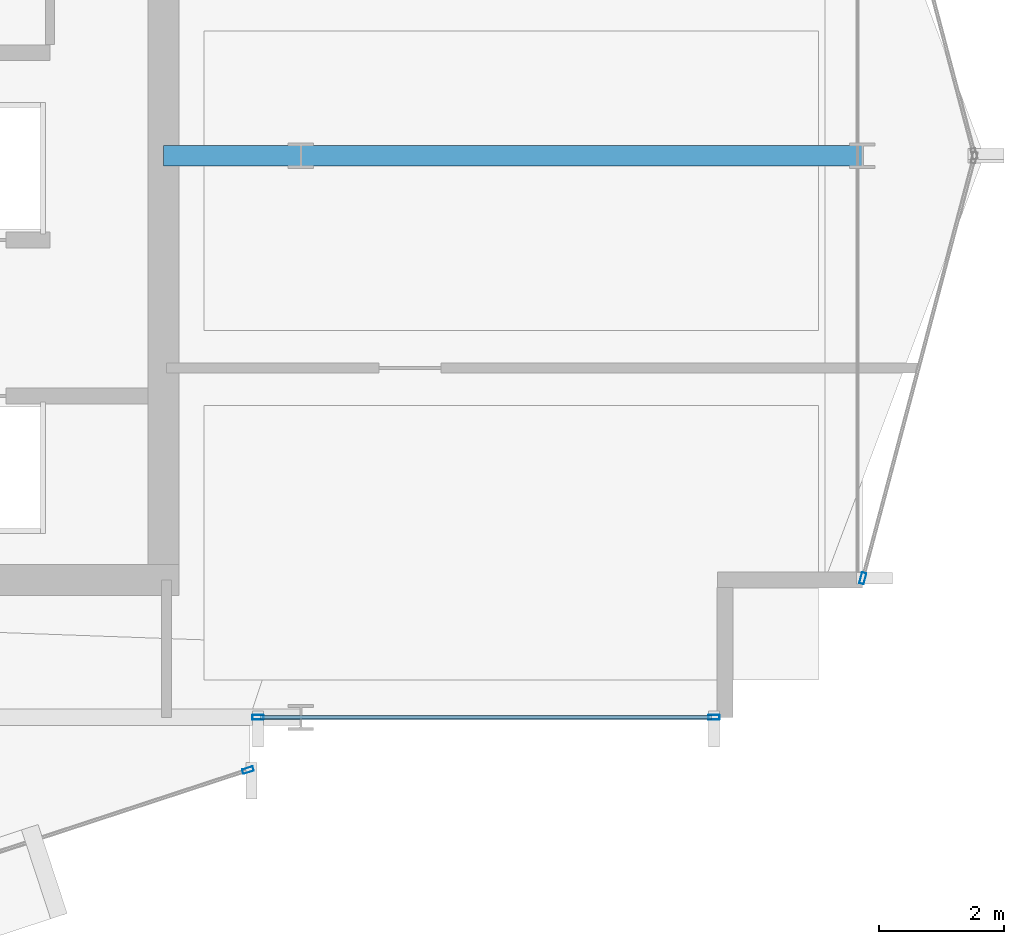
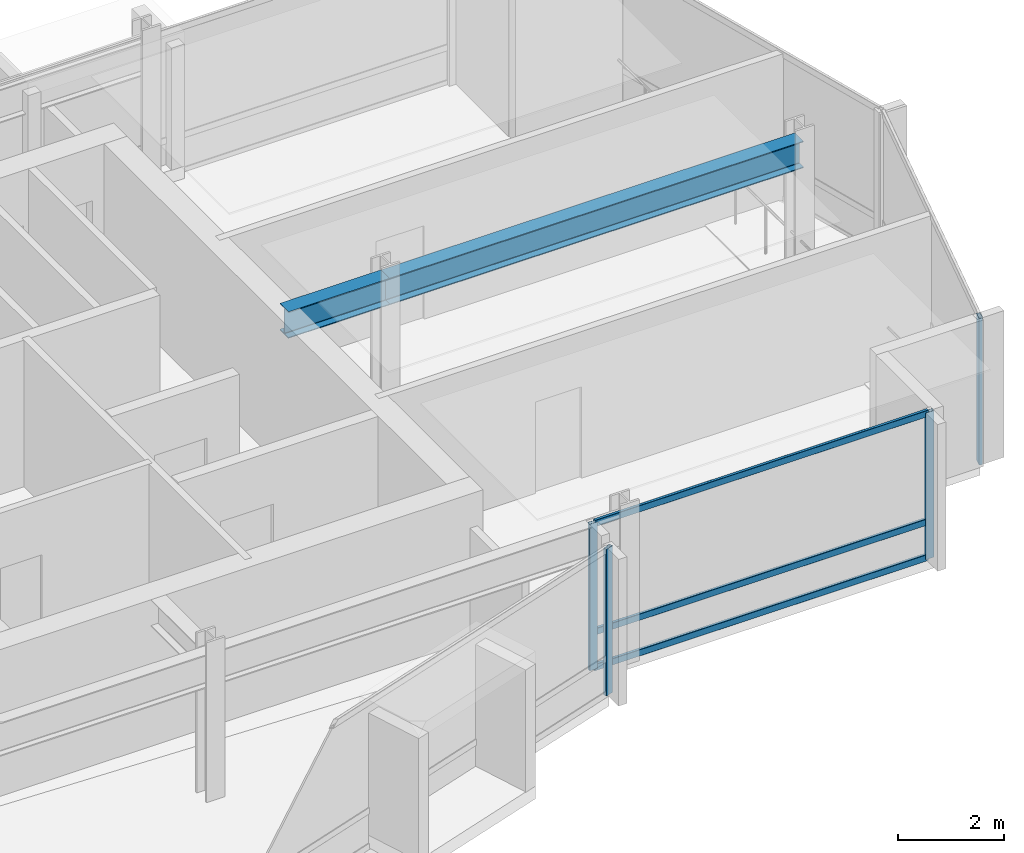
# One storey, part 10 of 27: 7 members, 2 beams, 3 elements without a shape of their own.
"""IFC4 building model written with IfcOpenShell, lengths in metres."""

from ifc_helpers import new_model, si_unit, direction, frame, origin, origin_2d, place, context, subcontext, project, spatial, hollow_rectangle, i_section, extrude, material, layer, layer_set, material_profile, profile_set, type_object, element, aggregate, save


model = new_model("IFC4")

# Units and contexts
model_context = context("Model", 3, precision=1e-05, world=origin(), true_north=direction((0.0, 1.0)))
body_context = subcontext(model_context, "Body", "Model", "MODEL_VIEW")
ifc_project = project(units=[si_unit("LENGTHUNIT", "METRE"), si_unit("AREAUNIT", "SQUARE_METRE"), si_unit("VOLUMEUNIT", "CUBIC_METRE"), si_unit("PLANEANGLEUNIT", "RADIAN"), si_unit("MASSUNIT", "GRAM", prefix="KILO")], contexts=[model_context])

# Site, building, storey
site_placement = place(None, origin())
site = spatial("IfcSite", under=ifc_project, at=site_placement, CompositionType="ELEMENT")
building_placement = place(site_placement, origin())
building = spatial("IfcBuilding", under=site, at=building_placement, Name="Solvaryn Broadcast Tower", CompositionType="ELEMENT")
storey_placement = place(building_placement, frame((0.0, 0.0, 192.699951171875)))
storey = spatial("IfcBuildingStorey", under=building, at=storey_placement, Name="L48", CompositionType="ELEMENT", Elevation=192.699951171875)

# Beams
ifc_material_1 = material(Name="Steel ASTM A992 Grade 50", Category="steel")
ifc_material_profile_1 = material_profile(ifc_material_1, i_section(OverallWidth=0.323974609375, OverallDepth=0.611083984375, WebThickness=0.0126953125, FlangeThickness=0.01904296875, FilletRadius=0.014892578125, at=origin_2d()))
ifc_profile_set_1 = profile_set([ifc_material_profile_1], Name="Steel ASTM A992 Grade 50")
beam_type = type_object("IfcBeamType", Name="BM-B1-W24X104", PredefinedType="BEAM", material=ifc_profile_set_1)
beam_1_placement = place(storey_placement, frame((45.0, 18.0, 3.064453125), z_axis=(1.0, 0.0, 0.0), x_axis=(0.0, 1.0, 0.0)))
element("IfcBeam", 1, at=beam_1_placement, inside=storey, type_object=beam_type, Name="L48 Primary Beam X (45-54 @ Y=18)", PredefinedType="BEAM", context=body_context, shape_type="SweptSolid", body=[
    extrude(i_section(OverallWidth=0.323974609375, OverallDepth=0.611083984375, WebThickness=0.0126953125, FlangeThickness=0.01904296875, FilletRadius=0.014892578125, at=origin_2d()), origin(), (0.0, 0.0, 1.0), 9.0),
])
beam_2_placement = place(storey_placement, frame((42.800048828125, 18.0, 3.064453125), z_axis=(1.0, 0.0, 0.0), x_axis=(0.0, 1.0, 0.0)))
element("IfcBeam", 2, at=beam_2_placement, inside=storey, type_object=beam_type, Name="L48 Core Tie Beam CTE3", PredefinedType="BEAM", context=body_context, shape_type="SweptSolid", body=[
    extrude(i_section(OverallWidth=0.323974609375, OverallDepth=0.611083984375, WebThickness=0.0126953125, FlangeThickness=0.01904296875, FilletRadius=0.014892578125, at=origin_2d()), origin(), (0.0, 0.0, 1.0), 2.199951171875),
])

# Curtain wall, member
ifc_material_2 = material(Name="Aluminium and Terracotta Unitised Curtain Wall", Category="masonry")
ifc_layer = layer(ifc_material_2, 0.199951171875)
ifc_layer_set = layer_set([ifc_layer], Name="CW-SYS2-LOWMID")
curtain_wall_type = type_object("IfcCurtainWallType", Name="CW-SYS2-LOWMID", PredefinedType="NOTDEFINED", material=ifc_layer_set)
curtain_wall_1_placement = place(storey_placement, origin())
curtain_wall_1 = element("IfcCurtainWall", 3, at=curtain_wall_1_placement, inside=storey, type_object=curtain_wall_type, Name="L48 Curtain Wall DR4", PredefinedType="NOTDEFINED")
ifc_material_3 = material(Name="Anodised Aluminium 6063-T6", Category="aluminium")
ifc_material_profile_2 = material_profile(ifc_material_3, hollow_rectangle(XDim=0.074951171875, YDim=0.179931640625, WallThickness=0.00390625, InnerFilletRadius=0.00390625, OuterFilletRadius=0.008056640625, at=origin_2d()))
ifc_profile_set_2 = profile_set([ifc_material_profile_2], Name="Anodised Aluminium 6063-T6")
member_type_1 = type_object("IfcMemberType", Name="CW-MUL-180", PredefinedType="MULLION", material=ifc_profile_set_2)
member_1_placement = place(storey_placement, frame((44.153564453125, 8.153564453125, 0.0), z_axis=(0.0, 0.0, 1.0), x_axis=(-0.311558717623, 0.950226902099, 0.0)))
member_1 = element("IfcMember", 4, at=member_1_placement, type_object=member_type_1, Name="CWS2 mullion 2", PredefinedType="MULLION", context=body_context, shape_type="SweptSolid", body=[
    extrude(hollow_rectangle(XDim=0.074951171875, YDim=0.179931640625, WallThickness=0.00390625, InnerFilletRadius=0.00390625, OuterFilletRadius=0.008056640625, at=origin_2d()), origin(), (0.0, 0.0, 1.0), 3.3701171875),
])
aggregate(curtain_wall_1, [member_1])

# Curtain wall, members
curtain_wall_2_placement = place(storey_placement, origin())
curtain_wall_2 = element("IfcCurtainWall", 5, at=curtain_wall_2_placement, inside=storey, type_object=curtain_wall_type, Name="L48 Curtain Wall S2", PredefinedType="NOTDEFINED")
member_2_placement = place(storey_placement, frame((44.31201171875, 9.0, 0.0), z_axis=(0.0, 0.0, 1.0), x_axis=(0.0, 1.0, 0.0)))
member_2 = element("IfcMember", 6, at=member_2_placement, type_object=member_type_1, Name="CWS2 mullion 1", PredefinedType="MULLION", context=body_context, shape_type="SweptSolid", body=[
    extrude(hollow_rectangle(XDim=0.074951171875, YDim=0.179931640625, WallThickness=0.00390625, InnerFilletRadius=0.00390625, OuterFilletRadius=0.008056640625, at=origin_2d()), origin(), (0.0, 0.0, 1.0), 3.3701171875),
])
member_3_placement = place(storey_placement, frame((51.6201171875, 9.0, 0.0), z_axis=(0.0, 0.0, 1.0), x_axis=(0.0, 1.0, 0.0)))
member_3 = element("IfcMember", 7, at=member_3_placement, type_object=member_type_1, Name="CWS2 mullion 2", PredefinedType="MULLION", context=body_context, shape_type="SweptSolid", body=[
    extrude(hollow_rectangle(XDim=0.074951171875, YDim=0.179931640625, WallThickness=0.00390625, InnerFilletRadius=0.00390625, OuterFilletRadius=0.008056640625, at=origin_2d()), origin(), (0.0, 0.0, 1.0), 3.3701171875),
])

# Curtain wall, member
curtain_wall_3_placement = place(storey_placement, origin())
curtain_wall_3 = element("IfcCurtainWall", 8, at=curtain_wall_3_placement, inside=storey, type_object=curtain_wall_type, Name="L48 Curtain Wall ET2", PredefinedType="NOTDEFINED")
member_4_placement = place(storey_placement, frame((54.007568359375, 11.22900390625, 0.0), z_axis=(0.0, 0.0, 1.0), x_axis=(0.966705227863, -0.25589256031, 0.0)))
member_4 = element("IfcMember", 9, at=member_4_placement, type_object=member_type_1, Name="CWS2 mullion 2", PredefinedType="MULLION", context=body_context, shape_type="SweptSolid", body=[
    extrude(hollow_rectangle(XDim=0.074951171875, YDim=0.179931640625, WallThickness=0.00390625, InnerFilletRadius=0.00390625, OuterFilletRadius=0.008056640625, at=origin_2d()), origin(), (0.0, 0.0, 1.0), 3.3701171875),
])
aggregate(curtain_wall_3, [member_4])

# Member
ifc_material_4 = material(Name="Anodised Aluminium 6063-T6", Category="aluminium")
ifc_material_profile_3 = material_profile(ifc_material_4, hollow_rectangle(XDim=0.06494140625, YDim=0.14990234375, WallThickness=0.00390625, InnerFilletRadius=0.00390625, OuterFilletRadius=0.008056640625, at=origin_2d()))
ifc_profile_set_3 = profile_set([ifc_material_profile_3], Name="Anodised Aluminium 6063-T6")
member_type_2 = type_object("IfcMemberType", Name="CW-TRN-150", PredefinedType="USERDEFINED", material=ifc_profile_set_3)
member_5_placement = place(storey_placement, frame((44.342041015625, 9.0, 0.030029296875), z_axis=(1.0, 0.0, 0.0), x_axis=(0.0, 1.0, 0.0)))
member_5 = element("IfcMember", 10, at=member_5_placement, type_object=member_type_2, Name="CWS2 transom 1.1", ObjectType="TRANSOM", PredefinedType="USERDEFINED", context=body_context, shape_type="SweptSolid", body=[
    extrude(hollow_rectangle(XDim=0.06494140625, YDim=0.14990234375, WallThickness=0.00390625, InnerFilletRadius=0.00390625, OuterFilletRadius=0.008056640625, at=origin_2d()), origin(), (0.0, 0.0, 1.0), 7.248046875),
])

member_6_placement = place(storey_placement, frame((44.342041015625, 9.0, 0.85009765625), z_axis=(1.0, 0.0, 0.0), x_axis=(0.0, 1.0, 0.0)))
member_6 = element("IfcMember", 11, at=member_6_placement, type_object=member_type_2, Name="CWS2 transom 1.2", ObjectType="TRANSOM", PredefinedType="USERDEFINED", context=body_context, shape_type="SweptSolid", body=[
    extrude(hollow_rectangle(XDim=0.06494140625, YDim=0.14990234375, WallThickness=0.00390625, InnerFilletRadius=0.00390625, OuterFilletRadius=0.008056640625, at=origin_2d()), origin(), (0.0, 0.0, 1.0), 7.248046875),
])

member_7_placement = place(storey_placement, frame((44.342041015625, 9.0, 3.340087890625), z_axis=(1.0, 0.0, 0.0), x_axis=(0.0, 1.0, 0.0)))
member_7 = element("IfcMember", 12, at=member_7_placement, type_object=member_type_2, Name="CWS2 transom 1.3", ObjectType="TRANSOM", PredefinedType="USERDEFINED", context=body_context, shape_type="SweptSolid", body=[
    extrude(hollow_rectangle(XDim=0.06494140625, YDim=0.14990234375, WallThickness=0.00390625, InnerFilletRadius=0.00390625, OuterFilletRadius=0.008056640625, at=origin_2d()), origin(), (0.0, 0.0, 1.0), 7.248046875),
])

aggregate(curtain_wall_2, [member_2, member_3, member_5, member_6, member_7])

save(model, "model.ifc")
